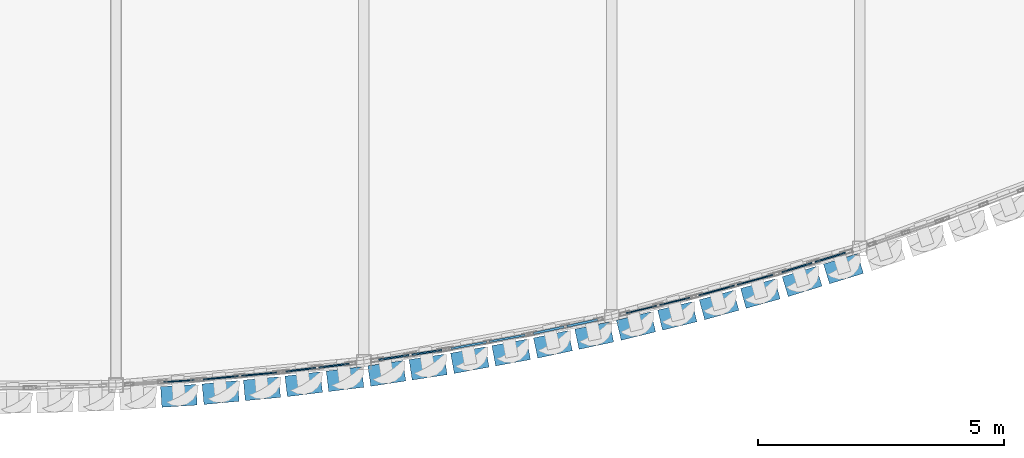
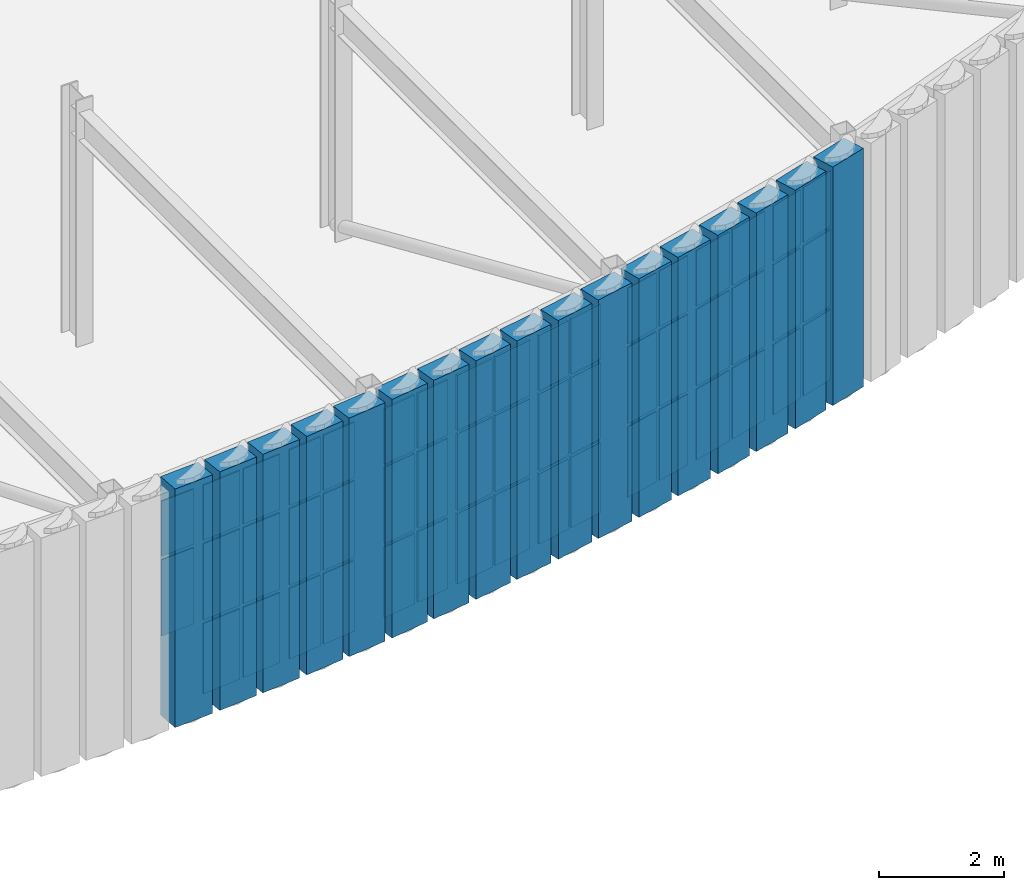
# One storey, part 84 of 121: 67 plates, 9 elements without a shape of their own.
"""IFC4 building model written with IfcOpenShell, lengths in metres."""

from ifc_helpers import new_model, si_unit, direction, frame, origin, origin_2d, place, context, subcontext, project, spatial, rectangle, extrude, material, layer, layer_set, type_object, element, aggregate, save


model = new_model("IFC4")

# Units and contexts
model_context = context("Model", 3, precision=1e-05, world=origin(), true_north=direction((0.0, 1.0)))
body_context = subcontext(model_context, "Body", "Model", "MODEL_VIEW")
ifc_project = project(units=[si_unit("LENGTHUNIT", "METRE"), si_unit("AREAUNIT", "SQUARE_METRE"), si_unit("VOLUMEUNIT", "CUBIC_METRE"), si_unit("PLANEANGLEUNIT", "RADIAN"), si_unit("MASSUNIT", "GRAM", prefix="KILO")], contexts=[model_context])

# Site, building, storey
site_placement = place(None, origin())
site = spatial("IfcSite", under=ifc_project, at=site_placement, CompositionType="ELEMENT")
building_placement = place(site_placement, origin())
building = spatial("IfcBuilding", under=site, at=building_placement, Name="Solvadek Multi-Sports Hall", CompositionType="ELEMENT")
storey_placement = place(building_placement, frame((0.0, 0.0, 4.800048828125)))
storey = spatial("IfcBuildingStorey", under=building, at=storey_placement, Name="L01", CompositionType="ELEMENT", Elevation=4.800048828125)

# Curtain wall, plates
ifc_material_1 = material(Name="Anodised aluminium", Category="aluminium")
ifc_layer_1 = layer(ifc_material_1, 0.159912109375, Name="Anodised aluminium")
ifc_layer_set_1 = layer_set([ifc_layer_1], Name="Anodised aluminium")
curtain_wall_type_1 = type_object("IfcCurtainWallType", Name="ENV-CW-141X420", PredefinedType="USERDEFINED", material=ifc_layer_set_1)
curtain_wall_1_placement = place(storey_placement, origin())
curtain_wall_1 = element("IfcCurtainWall", 1, at=curtain_wall_1_placement, inside=storey, type_object=curtain_wall_type_1, Name="L01 Crescent Curved Curtain Wall #67", ObjectType="CURTAIN WALL", PredefinedType="USERDEFINED")
ifc_material_2 = material(Name="Tempered laminated low-E glass", Category="glass")
ifc_layer_2 = layer(ifc_material_2, 0.02392578125, Name="Tempered laminated low-E glass")
ifc_layer_set_2 = layer_set([ifc_layer_2], Name="Tempered laminated low-E glass")
plate_type_1 = type_object("IfcPlateType", Name="ENV-CWP-01", PredefinedType="CURTAIN_PANEL", material=ifc_layer_set_2)
plate_1_placement = place(storey_placement, frame((97.762451171875, -13.046630859375, 1.50244140625), z_axis=(0.0, 0.0, 1.0), x_axis=(0.997952783049, 0.063955006096, 0.0)))
plate_1 = element("IfcPlate", 2, at=plate_1_placement, type_object=plate_type_1, Name="CW-28 panel 2.2", PredefinedType="CURTAIN_PANEL", context=body_context, shape_type="SweptSolid", body=[
    extrude(rectangle(XDim=0.61669921875, YDim=0.02392578125, at=origin_2d()), origin(), (0.0, 0.0, 1.0), 1.489013671875),
])
plate_2_placement = place(storey_placement, frame((97.762451171875, -13.046630859375, 3.056396484375), z_axis=(0.0, 0.0, 1.0), x_axis=(0.997952783049, 0.063955006096, 0.0)))
plate_2 = element("IfcPlate", 3, at=plate_2_placement, type_object=plate_type_1, Name="CW-28 panel 2.3", PredefinedType="CURTAIN_PANEL", context=body_context, shape_type="SweptSolid", body=[
    extrude(rectangle(XDim=0.61669921875, YDim=0.02392578125, at=origin_2d()), origin(), (0.0, 0.0, 1.0), 1.07861328125),
])
aggregate(curtain_wall_1, [plate_1, plate_2])

ifc_layer_3 = layer(ifc_material_1, 0.159912109375, Name="Anodised aluminium")
ifc_layer_set_3 = layer_set([ifc_layer_3], Name="Anodised aluminium")
curtain_wall_type_2 = type_object("IfcCurtainWallType", Name="ENV-CW-146X420", PredefinedType="USERDEFINED", material=ifc_layer_set_3)
curtain_wall_2_placement = place(storey_placement, origin())
curtain_wall_2 = element("IfcCurtainWall", 4, at=curtain_wall_2_placement, inside=storey, type_object=curtain_wall_type_2, Name="L01 Crescent Curved Curtain Wall #79", ObjectType="CURTAIN WALL", PredefinedType="USERDEFINED")
plate_3_placement = place(storey_placement, frame((107.163330078125, -11.59130859375, 0.06005859375), z_axis=(0.0, 0.0, 1.0), x_axis=(0.971469914267, 0.237162825236, 0.0)))
plate_3 = element("IfcPlate", 5, at=plate_3_placement, type_object=plate_type_1, Name="CW-23 panel 1.1", PredefinedType="CURTAIN_PANEL", context=body_context, shape_type="SweptSolid", body=[
    extrude(rectangle(XDim=0.632080078125, YDim=0.02392578125, at=origin_2d()), origin(), (0.0, 0.0, 1.0), 1.3798828125),
])
plate_4_placement = place(storey_placement, frame((107.163330078125, -11.59130859375, 1.5), z_axis=(0.0, 0.0, 1.0), x_axis=(0.971469914267, 0.237162825236, 0.0)))
plate_4 = element("IfcPlate", 6, at=plate_4_placement, type_object=plate_type_1, Name="CW-23 panel 1.2", PredefinedType="CURTAIN_PANEL", context=body_context, shape_type="SweptSolid", body=[
    extrude(rectangle(XDim=0.632080078125, YDim=0.02392578125, at=origin_2d()), origin(), (0.0, 0.0, 1.0), 1.493896484375),
])
plate_5_placement = place(storey_placement, frame((107.163330078125, -11.59130859375, 3.053955078125), z_axis=(0.0, 0.0, 1.0), x_axis=(0.971469914267, 0.237162825236, 0.0)))
plate_5 = element("IfcPlate", 7, at=plate_5_placement, type_object=plate_type_1, Name="CW-23 panel 1.3", PredefinedType="CURTAIN_PANEL", context=body_context, shape_type="SweptSolid", body=[
    extrude(rectangle(XDim=0.632080078125, YDim=0.02392578125, at=origin_2d()), origin(), (0.0, 0.0, 1.0), 1.0859375),
])
plate_6_placement = place(storey_placement, frame((107.840576171875, -11.426025390625, 0.06005859375), z_axis=(0.0, 0.0, 1.0), x_axis=(0.971469914267, 0.237162825236, 0.0)))
plate_6 = element("IfcPlate", 8, at=plate_6_placement, type_object=plate_type_1, Name="CW-23 panel 2.1", PredefinedType="CURTAIN_PANEL", context=body_context, shape_type="SweptSolid", body=[
    extrude(rectangle(XDim=0.632080078125, YDim=0.02392578125, at=origin_2d()), origin(), (0.0, 0.0, 1.0), 1.3798828125),
])
plate_7_placement = place(storey_placement, frame((107.840576171875, -11.426025390625, 1.5), z_axis=(0.0, 0.0, 1.0), x_axis=(0.971469914267, 0.237162825236, 0.0)))
plate_7 = element("IfcPlate", 9, at=plate_7_placement, type_object=plate_type_1, Name="CW-23 panel 2.2", PredefinedType="CURTAIN_PANEL", context=body_context, shape_type="SweptSolid", body=[
    extrude(rectangle(XDim=0.632080078125, YDim=0.02392578125, at=origin_2d()), origin(), (0.0, 0.0, 1.0), 1.493896484375),
])
plate_8_placement = place(storey_placement, frame((107.840576171875, -11.426025390625, 3.053955078125), z_axis=(0.0, 0.0, 1.0), x_axis=(0.971469914267, 0.237162825236, 0.0)))
plate_8 = element("IfcPlate", 10, at=plate_8_placement, type_object=plate_type_1, Name="CW-23 panel 2.3", PredefinedType="CURTAIN_PANEL", context=body_context, shape_type="SweptSolid", body=[
    extrude(rectangle(XDim=0.632080078125, YDim=0.02392578125, at=origin_2d()), origin(), (0.0, 0.0, 1.0), 1.0859375),
])
aggregate(curtain_wall_2, [plate_3, plate_4, plate_5, plate_6, plate_7, plate_8])

ifc_layer_4 = layer(ifc_material_1, 0.159912109375, Name="Anodised aluminium")
ifc_layer_set_4 = layer_set([ifc_layer_4], Name="Anodised aluminium")
curtain_wall_type_3 = type_object("IfcCurtainWallType", Name="ENV-CW-163X420", PredefinedType="USERDEFINED", material=ifc_layer_set_4)
curtain_wall_3_placement = place(storey_placement, origin())
curtain_wall_3 = element("IfcCurtainWall", 11, at=curtain_wall_3_placement, inside=storey, type_object=curtain_wall_type_3, Name="L01 Crescent Curved Curtain Wall #69", ObjectType="CURTAIN WALL", PredefinedType="USERDEFINED")
ifc_layer_5 = layer(ifc_material_2, 0.028076171875, Name="Tempered laminated low-E glass")
ifc_layer_set_5 = layer_set([ifc_layer_5], Name="Tempered laminated low-E glass")
plate_type_2 = type_object("IfcPlateType", Name="ENV-CWP-02", PredefinedType="CURTAIN_PANEL", material=ifc_layer_set_5)
plate_9_placement = place(storey_placement, frame((98.611083984375, -12.97900390625, 0.06494140625), z_axis=(0.0, 0.0, 1.0), x_axis=(0.995685120678, 0.092796230852, 0.0)))
plate_9 = element("IfcPlate", 12, at=plate_9_placement, type_object=plate_type_2, Name="CW-15 panel 1.1", PredefinedType="CURTAIN_PANEL", context=body_context, shape_type="SweptSolid", body=[
    extrude(rectangle(XDim=0.716064453125, YDim=0.028076171875, at=origin_2d()), origin(), (0.0, 0.0, 1.0), 1.37255859375),
])
plate_10_placement = place(storey_placement, frame((98.611083984375, -12.97900390625, 1.50244140625), z_axis=(0.0, 0.0, 1.0), x_axis=(0.995685120678, 0.092796230852, 0.0)))
plate_10 = element("IfcPlate", 13, at=plate_10_placement, type_object=plate_type_2, Name="CW-15 panel 1.2", PredefinedType="CURTAIN_PANEL", context=body_context, shape_type="SweptSolid", body=[
    extrude(rectangle(XDim=0.716064453125, YDim=0.028076171875, at=origin_2d()), origin(), (0.0, 0.0, 1.0), 1.489013671875),
])
plate_11_placement = place(storey_placement, frame((98.611083984375, -12.97900390625, 3.056396484375), z_axis=(0.0, 0.0, 1.0), x_axis=(0.995685120678, 0.092796230852, 0.0)))
plate_11 = element("IfcPlate", 14, at=plate_11_placement, type_object=plate_type_2, Name="CW-15 panel 1.3", PredefinedType="CURTAIN_PANEL", context=body_context, shape_type="SweptSolid", body=[
    extrude(rectangle(XDim=0.716064453125, YDim=0.028076171875, at=origin_2d()), origin(), (0.0, 0.0, 1.0), 1.07861328125),
])
plate_12_placement = place(storey_placement, frame((99.388916015625, -12.906494140625, 0.06494140625), z_axis=(0.0, 0.0, 1.0), x_axis=(0.995685120678, 0.092796230852, 0.0)))
plate_12 = element("IfcPlate", 15, at=plate_12_placement, type_object=plate_type_2, Name="CW-15 panel 2.1", PredefinedType="CURTAIN_PANEL", context=body_context, shape_type="SweptSolid", body=[
    extrude(rectangle(XDim=0.716064453125, YDim=0.028076171875, at=origin_2d()), origin(), (0.0, 0.0, 1.0), 1.37255859375),
])
plate_13_placement = place(storey_placement, frame((99.388916015625, -12.906494140625, 1.50244140625), z_axis=(0.0, 0.0, 1.0), x_axis=(0.995685120678, 0.092796230852, 0.0)))
plate_13 = element("IfcPlate", 16, at=plate_13_placement, type_object=plate_type_2, Name="CW-15 panel 2.2", PredefinedType="CURTAIN_PANEL", context=body_context, shape_type="SweptSolid", body=[
    extrude(rectangle(XDim=0.716064453125, YDim=0.028076171875, at=origin_2d()), origin(), (0.0, 0.0, 1.0), 1.489013671875),
])
plate_14_placement = place(storey_placement, frame((99.388916015625, -12.906494140625, 3.056396484375), z_axis=(0.0, 0.0, 1.0), x_axis=(0.995685120678, 0.092796230852, 0.0)))
plate_14 = element("IfcPlate", 17, at=plate_14_placement, type_object=plate_type_2, Name="CW-15 panel 2.3", PredefinedType="CURTAIN_PANEL", context=body_context, shape_type="SweptSolid", body=[
    extrude(rectangle(XDim=0.716064453125, YDim=0.028076171875, at=origin_2d()), origin(), (0.0, 0.0, 1.0), 1.07861328125),
])
aggregate(curtain_wall_3, [plate_9, plate_10, plate_11, plate_12, plate_13, plate_14])

ifc_layer_6 = layer(ifc_material_1, 0.159912109375, Name="Anodised aluminium")
ifc_layer_set_6 = layer_set([ifc_layer_6], Name="Anodised aluminium")
curtain_wall_type_4 = type_object("IfcCurtainWallType", Name="ENV-CW-168X420", PredefinedType="USERDEFINED", material=ifc_layer_set_6)
curtain_wall_4_placement = place(storey_placement, origin())
curtain_wall_4 = element("IfcCurtainWall", 18, at=curtain_wall_4_placement, inside=storey, type_object=curtain_wall_type_4, Name="L01 Crescent Curved Curtain Wall #81", ObjectType="CURTAIN WALL", PredefinedType="USERDEFINED")
plate_15_placement = place(storey_placement, frame((108.690185546875, -11.204345703125, 0.06005859375), z_axis=(0.0, 0.0, 1.0), x_axis=(0.963977908441, 0.265982315271, 0.0)))
plate_15 = element("IfcPlate", 19, at=plate_15_placement, type_object=plate_type_2, Name="CW-22 panel 1.1", PredefinedType="CURTAIN_PANEL", context=body_context, shape_type="SweptSolid", body=[
    extrude(rectangle(XDim=0.743896484375, YDim=0.028076171875, at=origin_2d()), origin(), (0.0, 0.0, 1.0), 1.3798828125),
])
plate_16_placement = place(storey_placement, frame((108.690185546875, -11.204345703125, 1.5), z_axis=(0.0, 0.0, 1.0), x_axis=(0.963977908441, 0.265982315271, 0.0)))
plate_16 = element("IfcPlate", 20, at=plate_16_placement, type_object=plate_type_2, Name="CW-22 panel 1.2", PredefinedType="CURTAIN_PANEL", context=body_context, shape_type="SweptSolid", body=[
    extrude(rectangle(XDim=0.743896484375, YDim=0.028076171875, at=origin_2d()), origin(), (0.0, 0.0, 1.0), 1.493896484375),
])
plate_17_placement = place(storey_placement, frame((108.690185546875, -11.204345703125, 3.053955078125), z_axis=(0.0, 0.0, 1.0), x_axis=(0.963977908441, 0.265982315271, 0.0)))
plate_17 = element("IfcPlate", 21, at=plate_17_placement, type_object=plate_type_2, Name="CW-22 panel 1.3", PredefinedType="CURTAIN_PANEL", context=body_context, shape_type="SweptSolid", body=[
    extrude(rectangle(XDim=0.743896484375, YDim=0.028076171875, at=origin_2d()), origin(), (0.0, 0.0, 1.0), 1.0859375),
])
plate_18_placement = place(storey_placement, frame((109.469970703125, -10.9892578125, 0.06005859375), z_axis=(0.0, 0.0, 1.0), x_axis=(0.963977908441, 0.265982315271, 0.0)))
plate_18 = element("IfcPlate", 22, at=plate_18_placement, type_object=plate_type_2, Name="CW-22 panel 2.1", PredefinedType="CURTAIN_PANEL", context=body_context, shape_type="SweptSolid", body=[
    extrude(rectangle(XDim=0.743896484375, YDim=0.028076171875, at=origin_2d()), origin(), (0.0, 0.0, 1.0), 1.3798828125),
])
plate_19_placement = place(storey_placement, frame((109.469970703125, -10.9892578125, 1.5), z_axis=(0.0, 0.0, 1.0), x_axis=(0.963977908441, 0.265982315271, 0.0)))
plate_19 = element("IfcPlate", 23, at=plate_19_placement, type_object=plate_type_2, Name="CW-22 panel 2.2", PredefinedType="CURTAIN_PANEL", context=body_context, shape_type="SweptSolid", body=[
    extrude(rectangle(XDim=0.743896484375, YDim=0.028076171875, at=origin_2d()), origin(), (0.0, 0.0, 1.0), 1.493896484375),
])
plate_20_placement = place(storey_placement, frame((109.469970703125, -10.9892578125, 3.053955078125), z_axis=(0.0, 0.0, 1.0), x_axis=(0.963977908441, 0.265982315271, 0.0)))
plate_20 = element("IfcPlate", 24, at=plate_20_placement, type_object=plate_type_2, Name="CW-22 panel 2.3", PredefinedType="CURTAIN_PANEL", context=body_context, shape_type="SweptSolid", body=[
    extrude(rectangle(XDim=0.743896484375, YDim=0.028076171875, at=origin_2d()), origin(), (0.0, 0.0, 1.0), 1.0859375),
])
aggregate(curtain_wall_4, [plate_15, plate_16, plate_17, plate_18, plate_19, plate_20])

ifc_layer_7 = layer(ifc_material_1, 0.159912109375, Name="Anodised aluminium")
ifc_layer_set_7 = layer_set([ifc_layer_7], Name="Anodised aluminium")
curtain_wall_type_5 = type_object("IfcCurtainWallType", Name="ENV-CW-142X420", PredefinedType="USERDEFINED", material=ifc_layer_set_7)
curtain_wall_5_placement = place(storey_placement, origin())
curtain_wall_5 = element("IfcCurtainWall", 25, at=curtain_wall_5_placement, inside=storey, type_object=curtain_wall_type_5, Name="L01 Crescent Curved Curtain Wall #71", ObjectType="CURTAIN WALL", PredefinedType="USERDEFINED")
ifc_layer_8 = layer(ifc_material_2, 0.031982421875, Name="Tempered laminated low-E glass")
ifc_layer_set_8 = layer_set([ifc_layer_8], Name="Tempered laminated low-E glass")
plate_type_3 = type_object("IfcPlateType", Name="ENV-CWP-03", PredefinedType="CURTAIN_PANEL", material=ifc_layer_set_8)
plate_21_placement = place(storey_placement, frame((100.239013671875, -12.815673828125, 0.06005859375), z_axis=(0.0, 0.0, 1.0), x_axis=(0.992569244901, 0.12168111635, 0.0)))
plate_21 = element("IfcPlate", 26, at=plate_21_placement, type_object=plate_type_3, Name="CW-27 panel 1.1", PredefinedType="CURTAIN_PANEL", context=body_context, shape_type="SweptSolid", body=[
    extrude(rectangle(XDim=0.61376953125, YDim=0.031982421875, at=origin_2d()), origin(), (0.0, 0.0, 1.0), 1.3798828125),
])
plate_22_placement = place(storey_placement, frame((100.239013671875, -12.815673828125, 1.5), z_axis=(0.0, 0.0, 1.0), x_axis=(0.992569244901, 0.12168111635, 0.0)))
plate_22 = element("IfcPlate", 27, at=plate_22_placement, type_object=plate_type_3, Name="CW-27 panel 1.2", PredefinedType="CURTAIN_PANEL", context=body_context, shape_type="SweptSolid", body=[
    extrude(rectangle(XDim=0.61376953125, YDim=0.031982421875, at=origin_2d()), origin(), (0.0, 0.0, 1.0), 1.493896484375),
])
plate_23_placement = place(storey_placement, frame((100.239013671875, -12.815673828125, 3.053955078125), z_axis=(0.0, 0.0, 1.0), x_axis=(0.992569244901, 0.12168111635, 0.0)))
plate_23 = element("IfcPlate", 28, at=plate_23_placement, type_object=plate_type_3, Name="CW-27 panel 1.3", PredefinedType="CURTAIN_PANEL", context=body_context, shape_type="SweptSolid", body=[
    extrude(rectangle(XDim=0.61376953125, YDim=0.031982421875, at=origin_2d()), origin(), (0.0, 0.0, 1.0), 1.0859375),
])
plate_24_placement = place(storey_placement, frame((100.91259765625, -12.733154296875, 0.06005859375), z_axis=(0.0, 0.0, 1.0), x_axis=(0.992569244901, 0.12168111635, 0.0)))
plate_24 = element("IfcPlate", 29, at=plate_24_placement, type_object=plate_type_3, Name="CW-27 panel 2.1", PredefinedType="CURTAIN_PANEL", context=body_context, shape_type="SweptSolid", body=[
    extrude(rectangle(XDim=0.61376953125, YDim=0.031982421875, at=origin_2d()), origin(), (0.0, 0.0, 1.0), 1.3798828125),
])
plate_25_placement = place(storey_placement, frame((100.91259765625, -12.733154296875, 1.5), z_axis=(0.0, 0.0, 1.0), x_axis=(0.992569244901, 0.12168111635, 0.0)))
plate_25 = element("IfcPlate", 30, at=plate_25_placement, type_object=plate_type_3, Name="CW-27 panel 2.2", PredefinedType="CURTAIN_PANEL", context=body_context, shape_type="SweptSolid", body=[
    extrude(rectangle(XDim=0.61376953125, YDim=0.031982421875, at=origin_2d()), origin(), (0.0, 0.0, 1.0), 1.493896484375),
])
plate_26_placement = place(storey_placement, frame((100.91259765625, -12.733154296875, 3.053955078125), z_axis=(0.0, 0.0, 1.0), x_axis=(0.992569244901, 0.12168111635, 0.0)))
plate_26 = element("IfcPlate", 31, at=plate_26_placement, type_object=plate_type_3, Name="CW-27 panel 2.3", PredefinedType="CURTAIN_PANEL", context=body_context, shape_type="SweptSolid", body=[
    extrude(rectangle(XDim=0.61376953125, YDim=0.031982421875, at=origin_2d()), origin(), (0.0, 0.0, 1.0), 1.0859375),
])
aggregate(curtain_wall_5, [plate_21, plate_22, plate_23, plate_24, plate_25, plate_26])

ifc_layer_9 = layer(ifc_material_1, 0.159912109375, Name="Anodised aluminium")
ifc_layer_set_9 = layer_set([ifc_layer_9], Name="Anodised aluminium")
curtain_wall_type_6 = type_object("IfcCurtainWallType", Name="ENV-CW-149X420", PredefinedType="USERDEFINED", material=ifc_layer_set_9)
curtain_wall_6_placement = place(storey_placement, origin())
curtain_wall_6 = element("IfcCurtainWall", 32, at=curtain_wall_6_placement, inside=storey, type_object=curtain_wall_type_6, Name="L01 Crescent Curved Curtain Wall #83", ObjectType="CURTAIN WALL", PredefinedType="USERDEFINED")
plate_27_placement = place(storey_placement, frame((110.32080078125, -10.7412109375, 0.06494140625), z_axis=(0.0, 0.0, 1.0), x_axis=(0.955521483915, 0.294921504432, 0.0)))
plate_27 = element("IfcPlate", 33, at=plate_27_placement, type_object=plate_type_3, Name="CW-21 panel 1.1", PredefinedType="CURTAIN_PANEL", context=body_context, shape_type="SweptSolid", body=[
    extrude(rectangle(XDim=0.63916015625, YDim=0.031982421875, at=origin_2d()), origin(), (0.0, 0.0, 1.0), 1.37255859375),
])
plate_28_placement = place(storey_placement, frame((110.32080078125, -10.7412109375, 1.50244140625), z_axis=(0.0, 0.0, 1.0), x_axis=(0.955521483915, 0.294921504432, 0.0)))
plate_28 = element("IfcPlate", 34, at=plate_28_placement, type_object=plate_type_3, Name="CW-21 panel 1.2", PredefinedType="CURTAIN_PANEL", context=body_context, shape_type="SweptSolid", body=[
    extrude(rectangle(XDim=0.63916015625, YDim=0.031982421875, at=origin_2d()), origin(), (0.0, 0.0, 1.0), 1.489013671875),
])
plate_29_placement = place(storey_placement, frame((110.32080078125, -10.7412109375, 3.056396484375), z_axis=(0.0, 0.0, 1.0), x_axis=(0.955521483915, 0.294921504432, 0.0)))
plate_29 = element("IfcPlate", 35, at=plate_29_placement, type_object=plate_type_3, Name="CW-21 panel 1.3", PredefinedType="CURTAIN_PANEL", context=body_context, shape_type="SweptSolid", body=[
    extrude(rectangle(XDim=0.63916015625, YDim=0.031982421875, at=origin_2d()), origin(), (0.0, 0.0, 1.0), 1.07861328125),
])
plate_30_placement = place(storey_placement, frame((110.99853515625, -10.5322265625, 0.06494140625), z_axis=(0.0, 0.0, 1.0), x_axis=(0.955521483915, 0.294921504432, 0.0)))
plate_30 = element("IfcPlate", 36, at=plate_30_placement, type_object=plate_type_3, Name="CW-21 panel 2.1", PredefinedType="CURTAIN_PANEL", context=body_context, shape_type="SweptSolid", body=[
    extrude(rectangle(XDim=0.63916015625, YDim=0.031982421875, at=origin_2d()), origin(), (0.0, 0.0, 1.0), 1.37255859375),
])
plate_31_placement = place(storey_placement, frame((110.99853515625, -10.5322265625, 1.50244140625), z_axis=(0.0, 0.0, 1.0), x_axis=(0.955521483915, 0.294921504432, 0.0)))
plate_31 = element("IfcPlate", 37, at=plate_31_placement, type_object=plate_type_3, Name="CW-21 panel 2.2", PredefinedType="CURTAIN_PANEL", context=body_context, shape_type="SweptSolid", body=[
    extrude(rectangle(XDim=0.63916015625, YDim=0.031982421875, at=origin_2d()), origin(), (0.0, 0.0, 1.0), 1.489013671875),
])
plate_32_placement = place(storey_placement, frame((110.99853515625, -10.5322265625, 3.056396484375), z_axis=(0.0, 0.0, 1.0), x_axis=(0.955521483915, 0.294921504432, 0.0)))
plate_32 = element("IfcPlate", 38, at=plate_32_placement, type_object=plate_type_3, Name="CW-21 panel 2.3", PredefinedType="CURTAIN_PANEL", context=body_context, shape_type="SweptSolid", body=[
    extrude(rectangle(XDim=0.63916015625, YDim=0.031982421875, at=origin_2d()), origin(), (0.0, 0.0, 1.0), 1.07861328125),
])
aggregate(curtain_wall_6, [plate_27, plate_28, plate_29, plate_30, plate_31, plate_32])

ifc_layer_10 = layer(ifc_material_1, 0.159912109375, Name="Anodised aluminium")
ifc_layer_set_10 = layer_set([ifc_layer_10], Name="Anodised aluminium")
curtain_wall_type_7 = type_object("IfcCurtainWallType", Name="ENV-CW-143X420", PredefinedType="USERDEFINED", material=ifc_layer_set_10)
curtain_wall_7_placement = place(storey_placement, origin())
curtain_wall_7 = element("IfcCurtainWall", 39, at=curtain_wall_7_placement, inside=storey, type_object=curtain_wall_type_7, Name="L01 Crescent Curved Curtain Wall #73", ObjectType="CURTAIN WALL", PredefinedType="USERDEFINED")
ifc_layer_11 = layer(ifc_material_2, 0.035888671875, Name="Tempered laminated low-E glass")
ifc_layer_set_11 = layer_set([ifc_layer_11], Name="Tempered laminated low-E glass")
plate_type_4 = type_object("IfcPlateType", Name="ENV-CWP-04", PredefinedType="CURTAIN_PANEL", material=ifc_layer_set_11)
plate_33_placement = place(storey_placement, frame((102.1279296875, -12.566162109375, 0.06005859375), z_axis=(0.0, 0.0, 1.0), x_axis=(0.98860028031, 0.150563892653, 0.0)))
plate_33 = element("IfcPlate", 40, at=plate_33_placement, type_object=plate_type_4, Name="CW-26 panel 1.1", PredefinedType="CURTAIN_PANEL", context=body_context, shape_type="SweptSolid", body=[
    extrude(rectangle(XDim=0.609619140625, YDim=0.035888671875, at=origin_2d()), origin(), (0.0, 0.0, 1.0), 1.3798828125),
])
plate_34_placement = place(storey_placement, frame((102.1279296875, -12.566162109375, 1.5), z_axis=(0.0, 0.0, 1.0), x_axis=(0.98860028031, 0.150563892653, 0.0)))
plate_34 = element("IfcPlate", 41, at=plate_34_placement, type_object=plate_type_4, Name="CW-26 panel 1.2", PredefinedType="CURTAIN_PANEL", context=body_context, shape_type="SweptSolid", body=[
    extrude(rectangle(XDim=0.609619140625, YDim=0.035888671875, at=origin_2d()), origin(), (0.0, 0.0, 1.0), 1.493896484375),
])
plate_35_placement = place(storey_placement, frame((102.1279296875, -12.566162109375, 3.053955078125), z_axis=(0.0, 0.0, 1.0), x_axis=(0.98860028031, 0.150563892653, 0.0)))
plate_35 = element("IfcPlate", 42, at=plate_35_placement, type_object=plate_type_4, Name="CW-26 panel 1.3", PredefinedType="CURTAIN_PANEL", context=body_context, shape_type="SweptSolid", body=[
    extrude(rectangle(XDim=0.609619140625, YDim=0.035888671875, at=origin_2d()), origin(), (0.0, 0.0, 1.0), 1.0859375),
])
plate_36_placement = place(storey_placement, frame((102.7998046875, -12.463623046875, 0.06005859375), z_axis=(0.0, 0.0, 1.0), x_axis=(0.98860028031, 0.150563892653, 0.0)))
plate_36 = element("IfcPlate", 43, at=plate_36_placement, type_object=plate_type_4, Name="CW-26 panel 2.1", PredefinedType="CURTAIN_PANEL", context=body_context, shape_type="SweptSolid", body=[
    extrude(rectangle(XDim=0.609619140625, YDim=0.035888671875, at=origin_2d()), origin(), (0.0, 0.0, 1.0), 1.3798828125),
])
plate_37_placement = place(storey_placement, frame((102.7998046875, -12.463623046875, 1.5), z_axis=(0.0, 0.0, 1.0), x_axis=(0.98860028031, 0.150563892653, 0.0)))
plate_37 = element("IfcPlate", 44, at=plate_37_placement, type_object=plate_type_4, Name="CW-26 panel 2.2", PredefinedType="CURTAIN_PANEL", context=body_context, shape_type="SweptSolid", body=[
    extrude(rectangle(XDim=0.609619140625, YDim=0.035888671875, at=origin_2d()), origin(), (0.0, 0.0, 1.0), 1.493896484375),
])
plate_38_placement = place(storey_placement, frame((102.7998046875, -12.463623046875, 3.053955078125), z_axis=(0.0, 0.0, 1.0), x_axis=(0.98860028031, 0.150563892653, 0.0)))
plate_38 = element("IfcPlate", 45, at=plate_38_placement, type_object=plate_type_4, Name="CW-26 panel 2.3", PredefinedType="CURTAIN_PANEL", context=body_context, shape_type="SweptSolid", body=[
    extrude(rectangle(XDim=0.609619140625, YDim=0.035888671875, at=origin_2d()), origin(), (0.0, 0.0, 1.0), 1.0859375),
])
aggregate(curtain_wall_7, [plate_33, plate_34, plate_35, plate_36, plate_37, plate_38])

ifc_layer_12 = layer(ifc_material_1, 0.159912109375, Name="Anodised aluminium")
ifc_layer_set_12 = layer_set([ifc_layer_12], Name="Anodised aluminium")
curtain_wall_type_8 = type_object("IfcCurtainWallType", Name="ENV-CW-165X420", PredefinedType="USERDEFINED", material=ifc_layer_set_12)
curtain_wall_8_placement = place(storey_placement, origin())
curtain_wall_8 = element("IfcCurtainWall", 46, at=curtain_wall_8_placement, inside=storey, type_object=curtain_wall_type_8, Name="L01 Crescent Curved Curtain Wall #75", ObjectType="CURTAIN WALL", PredefinedType="USERDEFINED")
ifc_layer_13 = layer(ifc_material_2, 0.0419921875, Name="Tempered laminated low-E glass")
ifc_layer_set_13 = layer_set([ifc_layer_13], Name="Tempered laminated low-E glass")
plate_type_5 = type_object("IfcPlateType", Name="ENV-CWP-05", PredefinedType="CURTAIN_PANEL", material=ifc_layer_set_13)
plate_39_placement = place(storey_placement, frame((103.6494140625, -12.32080078125, 0.06494140625), z_axis=(0.0, 0.0, 1.0), x_axis=(0.983776557461, 0.17939811869, 0.0)))
plate_39 = element("IfcPlate", 47, at=plate_39_placement, type_object=plate_type_5, Name="CW-25 panel 1.1", PredefinedType="CURTAIN_PANEL", context=body_context, shape_type="SweptSolid", body=[
    extrude(rectangle(XDim=0.73388671875, YDim=0.0419921875, at=origin_2d()), origin(), (0.0, 0.0, 1.0), 1.37255859375),
])
plate_40_placement = place(storey_placement, frame((103.6494140625, -12.32080078125, 1.50244140625), z_axis=(0.0, 0.0, 1.0), x_axis=(0.983776557461, 0.17939811869, 0.0)))
plate_40 = element("IfcPlate", 48, at=plate_40_placement, type_object=plate_type_5, Name="CW-25 panel 1.2", PredefinedType="CURTAIN_PANEL", context=body_context, shape_type="SweptSolid", body=[
    extrude(rectangle(XDim=0.73388671875, YDim=0.0419921875, at=origin_2d()), origin(), (0.0, 0.0, 1.0), 1.489013671875),
])
plate_41_placement = place(storey_placement, frame((103.6494140625, -12.32080078125, 3.056396484375), z_axis=(0.0, 0.0, 1.0), x_axis=(0.983776557461, 0.17939811869, 0.0)))
plate_41 = element("IfcPlate", 49, at=plate_41_placement, type_object=plate_type_5, Name="CW-25 panel 1.3", PredefinedType="CURTAIN_PANEL", context=body_context, shape_type="SweptSolid", body=[
    extrude(rectangle(XDim=0.73388671875, YDim=0.0419921875, at=origin_2d()), origin(), (0.0, 0.0, 1.0), 1.07861328125),
])
plate_42_placement = place(storey_placement, frame((104.430419921875, -12.178466796875, 0.06494140625), z_axis=(0.0, 0.0, 1.0), x_axis=(0.983776557461, 0.17939811869, 0.0)))
plate_42 = element("IfcPlate", 50, at=plate_42_placement, type_object=plate_type_5, Name="CW-25 panel 2.1", PredefinedType="CURTAIN_PANEL", context=body_context, shape_type="SweptSolid", body=[
    extrude(rectangle(XDim=0.73388671875, YDim=0.0419921875, at=origin_2d()), origin(), (0.0, 0.0, 1.0), 1.37255859375),
])
plate_43_placement = place(storey_placement, frame((104.430419921875, -12.178466796875, 1.50244140625), z_axis=(0.0, 0.0, 1.0), x_axis=(0.983776557461, 0.17939811869, 0.0)))
plate_43 = element("IfcPlate", 51, at=plate_43_placement, type_object=plate_type_5, Name="CW-25 panel 2.2", PredefinedType="CURTAIN_PANEL", context=body_context, shape_type="SweptSolid", body=[
    extrude(rectangle(XDim=0.73388671875, YDim=0.0419921875, at=origin_2d()), origin(), (0.0, 0.0, 1.0), 1.489013671875),
])
plate_44_placement = place(storey_placement, frame((104.430419921875, -12.178466796875, 3.056396484375), z_axis=(0.0, 0.0, 1.0), x_axis=(0.983776557461, 0.17939811869, 0.0)))
plate_44 = element("IfcPlate", 52, at=plate_44_placement, type_object=plate_type_5, Name="CW-25 panel 2.3", PredefinedType="CURTAIN_PANEL", context=body_context, shape_type="SweptSolid", body=[
    extrude(rectangle(XDim=0.73388671875, YDim=0.0419921875, at=origin_2d()), origin(), (0.0, 0.0, 1.0), 1.07861328125),
])
aggregate(curtain_wall_8, [plate_39, plate_40, plate_41, plate_42, plate_43, plate_44])

ifc_layer_14 = layer(ifc_material_1, 0.159912109375, Name="Anodised aluminium")
ifc_layer_set_14 = layer_set([ifc_layer_14], Name="Anodised aluminium")
curtain_wall_type_9 = type_object("IfcCurtainWallType", Name="ENV-CW-145X420", PredefinedType="USERDEFINED", material=ifc_layer_set_14)
curtain_wall_9_placement = place(storey_placement, origin())
curtain_wall_9 = element("IfcCurtainWall", 53, at=curtain_wall_9_placement, inside=storey, type_object=curtain_wall_type_9, Name="L01 Crescent Curved Curtain Wall #77", ObjectType="CURTAIN WALL", PredefinedType="USERDEFINED")
ifc_layer_15 = layer(ifc_material_2, 0.048095703125, Name="Tempered laminated low-E glass")
ifc_layer_set_15 = layer_set([ifc_layer_15], Name="Tempered laminated low-E glass")
plate_type_6 = type_object("IfcPlateType", Name="ENV-CWP-06", PredefinedType="CURTAIN_PANEL", material=ifc_layer_set_15)
plate_45_placement = place(storey_placement, frame((105.278076171875, -12.01171875, 0.06494140625), z_axis=(0.0, 0.0, 1.0), x_axis=(0.978074507403, 0.208255271166, 0.0)))
plate_45 = element("IfcPlate", 54, at=plate_45_placement, type_object=plate_type_6, Name="CW-24 panel 1.1", PredefinedType="CURTAIN_PANEL", context=body_context, shape_type="SweptSolid", body=[
    extrude(rectangle(XDim=0.6337890625, YDim=0.048095703125, at=origin_2d()), origin(), (0.0, 0.0, 1.0), 1.37255859375),
])
plate_46_placement = place(storey_placement, frame((105.278076171875, -12.01171875, 1.50244140625), z_axis=(0.0, 0.0, 1.0), x_axis=(0.978074507403, 0.208255271166, 0.0)))
plate_46 = element("IfcPlate", 55, at=plate_46_placement, type_object=plate_type_6, Name="CW-24 panel 1.2", PredefinedType="CURTAIN_PANEL", context=body_context, shape_type="SweptSolid", body=[
    extrude(rectangle(XDim=0.6337890625, YDim=0.048095703125, at=origin_2d()), origin(), (0.0, 0.0, 1.0), 1.489013671875),
])
plate_47_placement = place(storey_placement, frame((105.278076171875, -12.01171875, 3.056396484375), z_axis=(0.0, 0.0, 1.0), x_axis=(0.978074507403, 0.208255271166, 0.0)))
plate_47 = element("IfcPlate", 56, at=plate_47_placement, type_object=plate_type_6, Name="CW-24 panel 1.3", PredefinedType="CURTAIN_PANEL", context=body_context, shape_type="SweptSolid", body=[
    extrude(rectangle(XDim=0.6337890625, YDim=0.048095703125, at=origin_2d()), origin(), (0.0, 0.0, 1.0), 1.07861328125),
])
plate_48_placement = place(storey_placement, frame((105.95654296875, -11.8671875, 0.06494140625), z_axis=(0.0, 0.0, 1.0), x_axis=(0.978074507403, 0.208255271166, 0.0)))
plate_48 = element("IfcPlate", 57, at=plate_48_placement, type_object=plate_type_6, Name="CW-24 panel 2.1", PredefinedType="CURTAIN_PANEL", context=body_context, shape_type="SweptSolid", body=[
    extrude(rectangle(XDim=0.6337890625, YDim=0.048095703125, at=origin_2d()), origin(), (0.0, 0.0, 1.0), 1.37255859375),
])
plate_49_placement = place(storey_placement, frame((105.95654296875, -11.8671875, 1.50244140625), z_axis=(0.0, 0.0, 1.0), x_axis=(0.978074507403, 0.208255271166, 0.0)))
plate_49 = element("IfcPlate", 58, at=plate_49_placement, type_object=plate_type_6, Name="CW-24 panel 2.2", PredefinedType="CURTAIN_PANEL", context=body_context, shape_type="SweptSolid", body=[
    extrude(rectangle(XDim=0.6337890625, YDim=0.048095703125, at=origin_2d()), origin(), (0.0, 0.0, 1.0), 1.489013671875),
])
plate_50_placement = place(storey_placement, frame((105.95654296875, -11.8671875, 3.056396484375), z_axis=(0.0, 0.0, 1.0), x_axis=(0.978074507403, 0.208255271166, 0.0)))
plate_50 = element("IfcPlate", 59, at=plate_50_placement, type_object=plate_type_6, Name="CW-24 panel 2.3", PredefinedType="CURTAIN_PANEL", context=body_context, shape_type="SweptSolid", body=[
    extrude(rectangle(XDim=0.6337890625, YDim=0.048095703125, at=origin_2d()), origin(), (0.0, 0.0, 1.0), 1.07861328125),
])
aggregate(curtain_wall_9, [plate_45, plate_46, plate_47, plate_48, plate_49, plate_50])

# Plates
ifc_material_3 = material(Name="Perforated champagne-bronze anodised aluminium", Category="aluminium")
ifc_layer_16 = layer(ifc_material_3, 0.419921875, Name="Perforated champagne-bronze anodised aluminium")
ifc_layer_set_16 = layer_set([ifc_layer_16], Name="Perforated champagne-bronze anodised aluminium")
plate_type_7 = type_object("IfcPlateType", Name="ENV-FLT-440", PredefinedType="USERDEFINED", material=ifc_layer_set_16)
for number, where, z_axis, x_axis, name in (
    (60, (97.75927734375, -13.347412109375, 0.0400390625), (0.0, 0.0, 1.0), (0.997955239955, 0.063916657037, 0.0), "L01 Half-Cylinder Colonnade Flute #134"),
    (61, (98.60791015625, -13.28076171875, 0.0400390625), (0.0, 0.0, 1.0), (0.995683656408, 0.092811940833, 0.0), "L01 Half-Cylinder Colonnade Flute #137"),
    (62, (99.44775390625, -13.202392578125, 0.0400390625), (0.0, 0.0, 1.0), (0.995683656408, 0.092811940833, 0.0), "L01 Half-Cylinder Colonnade Flute #138"),
    (63, (100.29638671875, -13.11083984375, 0.0400390625), (0.0, 0.0, 1.0), (0.992573145786, 0.121649292087, 0.0), "L01 Half-Cylinder Colonnade Flute #141"),
    (64, (101.136474609375, -13.0078125, 0.0400390625), (0.0, 0.0, 1.0), (0.992573145786, 0.121649292087, 0.0), "L01 Half-Cylinder Colonnade Flute #142"),
    (65, (101.985107421875, -12.89111328125, 0.0400390625), (0.0, 0.0, 1.0), (0.988605895809, 0.15052701675, 0.0), "L01 Half-Cylinder Colonnade Flute #145"),
    (66, (102.8251953125, -12.763427734375, 0.0400390625), (0.0, 0.0, 1.0), (0.988605895809, 0.15052701675, 0.0), "L01 Half-Cylinder Colonnade Flute #146"),
    (67, (103.673828125, -12.621337890625, 0.0400390625), (0.0, 0.0, 1.0), (0.983772323835, 0.179421333339, 0.0), "L01 Half-Cylinder Colonnade Flute #149"),
    (68, (104.513916015625, -12.468017578125, 0.0400390625), (0.0, 0.0, 1.0), (0.983772323835, 0.179421333339, 0.0), "L01 Half-Cylinder Colonnade Flute #150"),
    (69, (105.362548828125, -12.30029296875, 0.0400390625), (0.0, 0.0, 1.0), (0.978075914323, 0.208248663432, 0.0), "L01 Half-Cylinder Colonnade Flute #153"),
    (70, (106.202392578125, -12.12158203125, 0.0400390625), (0.0, 0.0, 1.0), (0.978075914323, 0.208248663432, 0.0), "L01 Half-Cylinder Colonnade Flute #154"),
    (71, (107.051025390625, -11.927734375, 0.0400390625), (0.0, 0.0, 1.0), (0.971474540489, 0.237143874435, 0.0), "L01 Half-Cylinder Colonnade Flute #157"),
    (72, (107.89111328125, -11.72265625, 0.0400390625), (0.0, 0.0, 1.0), (0.971474540489, 0.237143874435, 0.0), "L01 Half-Cylinder Colonnade Flute #158"),
    (73, (108.73974609375, -11.501953125, 0.0400390625), (0.0, 0.0, 1.0), (0.963970297161, 0.266009898671, 0.0), "L01 Half-Cylinder Colonnade Flute #161"),
    (74, (109.579833984375, -11.27001953125, 0.0400390625), (0.0, 0.0, 1.0), (0.963970297161, 0.266009898671, 0.0), "L01 Half-Cylinder Colonnade Flute #162"),
    (75, (110.428466796875, -11.02197265625, 0.0400390625), (0.0, 0.0, 1.0), (0.955526555938, 0.294905070993, 0.0), "L01 Half-Cylinder Colonnade Flute #165"),
    (76, (111.2685546875, -10.7626953125, 0.0400390625), (0.0, 0.0, 1.0), (0.955526555938, 0.294905070993, 0.0), "L01 Half-Cylinder Colonnade Flute #166"),
):
    element("IfcPlate", number, at=place(storey_placement, frame(where, z_axis=z_axis, x_axis=x_axis)), inside=storey, type_object=plate_type_7, Name=name, ObjectType="FLANGED_SHEET", PredefinedType="USERDEFINED", context=body_context, shape_type="SweptSolid", body=[
        extrude(rectangle(XDim=0.719970703125, YDim=0.419921875, at=origin_2d()), origin(), (0.0, 0.0, 1.0), 4.64990234375),
    ])

save(model, "model.ifc")
